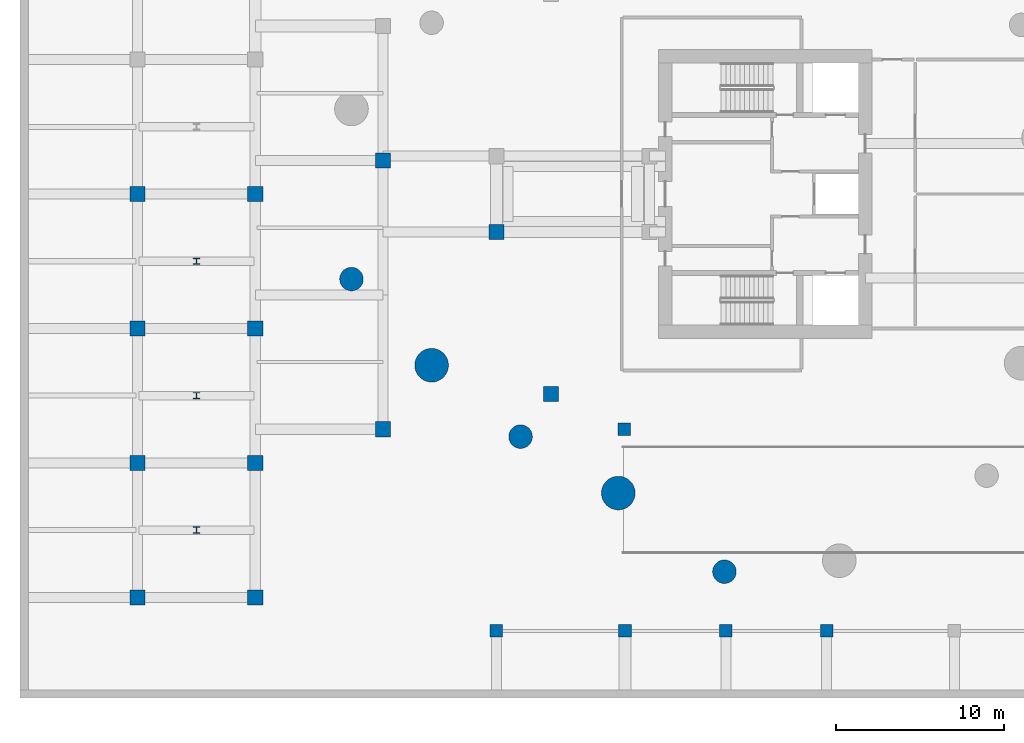
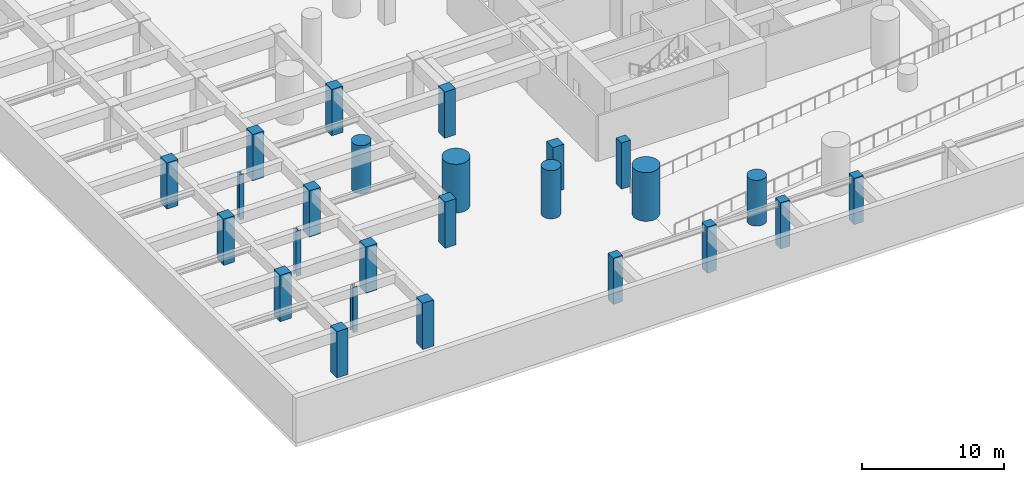
# One storey, part 1 of 10: 25 columns.
"""IFC4 building model written with IfcOpenShell, lengths in metres."""

from ifc_helpers import new_model, si_unit, direction, frame, origin, origin_2d, place, context, subcontext, project, spatial, rectangle, circle, i_section, extrude, source, transform, mapped, material, material_profile, profile_set, type_object, element, save


model = new_model("IFC4")

# Units and contexts
model_context = context("Model", 3, precision=1e-05, world=origin(), true_north=direction((0.0, 1.0)))
body_context = subcontext(model_context, "Body", "Model", "MODEL_VIEW")
ifc_project = project(units=[si_unit("LENGTHUNIT", "METRE"), si_unit("AREAUNIT", "SQUARE_METRE"), si_unit("VOLUMEUNIT", "CUBIC_METRE"), si_unit("PLANEANGLEUNIT", "RADIAN"), si_unit("MASSUNIT", "GRAM", prefix="KILO")], contexts=[model_context])

# Site, building, storey
site_placement = place(None, origin())
site = spatial("IfcSite", under=ifc_project, at=site_placement, CompositionType="ELEMENT")
building_placement = place(site_placement, origin())
building = spatial("IfcBuilding", under=site, at=building_placement, Name="Qafzar Sky-Pleat Residences", CompositionType="ELEMENT")
storey_placement = place(building_placement, frame((0.0, 0.0, -4.199951171875)))
storey = spatial("IfcBuildingStorey", under=building, at=storey_placement, Name="B01", CompositionType="ELEMENT", Elevation=-4.199951171875)

# Columns
ifc_material_1 = material(Name="Concrete C60/75", Category="concrete")
ifc_material_profile_1 = material_profile(ifc_material_1, circle(Radius=1.0, at=origin_2d()), Name="RC D2000")
ifc_profile_set_1 = profile_set([ifc_material_profile_1], Name="Concrete C60/75")
column_type_1 = type_object("IfcColumnType", Name="COL-STILT-D2000", PredefinedType="COLUMN", material=ifc_profile_set_1)
shared_shape_1 = source(origin(), body_context, "Body", "SweptSolid", [
    extrude(circle(Radius=1.0, at=origin_2d()), origin(), (0.0, 0.0, 1.0), 4.195068359375),
])
for number, where, z_axis, x_axis, name in (
    (1, (10.493408203125, 15.809814453125, 0.0), (0.0, 0.0, 1.0), (1.0, 0.0, 0.0), "B01 Mega-Column STILT-02"),
    (2, (21.602783203125, 8.20458984375, 0.0), (0.0, 0.0, 1.0), (1.0, 0.0, 0.0), "B01 Mega-Column STILT-03"),
):
    element("IfcColumn", number, at=place(storey_placement, frame(where, z_axis=z_axis, x_axis=x_axis)), inside=storey, type_object=column_type_1, Name=name, PredefinedType="COLUMN", context=body_context, shape_type="MappedRepresentation", body=[
        mapped(shared_shape_1, transform((0.0, 0.0, 0.0), x_axis=(1.0, 0.0, 0.0), y_axis=(0.0, 1.0, 0.0), z_axis=(0.0, 0.0, 1.0), scale=1.0)),
    ])
ifc_material_profile_2 = material_profile(ifc_material_1, circle(Radius=0.699951171875, at=origin_2d()), Name="RC D1400")
ifc_profile_set_2 = profile_set([ifc_material_profile_2], Name="Concrete C60/75")
column_type_2 = type_object("IfcColumnType", Name="COL-MEGA-D1400", PredefinedType="COLUMN", material=ifc_profile_set_2)
shared_shape_2 = source(origin(), body_context, "Body", "SweptSolid", [
    extrude(circle(Radius=0.699951171875, at=origin_2d()), origin(), (0.0, 0.0, 1.0), 4.1572265625),
])
for number, where, z_axis, x_axis, name in (
    (3, (5.724609375, 20.937255859375, 0.0), (0.0, 0.0, 1.0), (1.0, 0.0, 0.0), "B01 Branch Mega-Column STILT-BR-01"),
    (4, (15.787353515625, 11.56201171875, 0.0), (0.0, 0.0, 1.0), (1.0, 0.0, 0.0), "B01 Branch Mega-Column STILT-BR-02"),
):
    element("IfcColumn", number, at=place(storey_placement, frame(where, z_axis=z_axis, x_axis=x_axis)), inside=storey, type_object=column_type_2, Name=name, PredefinedType="COLUMN", context=body_context, shape_type="MappedRepresentation", body=[
        mapped(shared_shape_2, transform((0.0, 0.0, 0.0), x_axis=(1.0, 0.0, 0.0), y_axis=(0.0, 1.0, 0.0), z_axis=(0.0, 0.0, 1.0), scale=1.0)),
    ])
shared_shape_3 = source(origin(), body_context, "Body", "SweptSolid", [
    extrude(circle(Radius=0.699951171875, at=origin_2d()), origin(), (0.0, 0.0, 1.0), 3.949462890625),
])
column_1_placement = place(storey_placement, frame((27.92041015625, 3.52392578125, 0.0), z_axis=(0.0, 0.0, 1.0), x_axis=(1.0, 0.0, 0.0)))
element("IfcColumn", 5, at=column_1_placement, inside=storey, type_object=column_type_2, Name="B01 Branch Mega-Column STILT-BR-03", PredefinedType="COLUMN", context=body_context, shape_type="MappedRepresentation", body=[
    mapped(shared_shape_3, transform((0.0, 0.0, 0.0), x_axis=(1.0, 0.0, 0.0), y_axis=(0.0, 1.0, 0.0), z_axis=(0.0, 0.0, 1.0), scale=1.0)),
])
ifc_material_2 = material(Name="Steel S355", Category="steel")
ifc_material_profile_3 = material_profile(ifc_material_2, i_section(OverallWidth=0.3740234375, OverallDepth=0.3720703125, WebThickness=0.01611328125, FlangeThickness=0.02587890625, FilletRadius=0.014892578125, at=origin_2d()), Name="HD 360x196")
ifc_profile_set_3 = profile_set([ifc_material_profile_3], Name="Steel S355")
column_type_3 = type_object("IfcColumnType", Name="COL-STL-HD196", PredefinedType="PILASTER", material=ifc_profile_set_3)
shared_shape_4 = source(origin(), body_context, "Body", "SweptSolid", [
    extrude(i_section(OverallWidth=0.3740234375, OverallDepth=0.3720703125, WebThickness=0.01611328125, FlangeThickness=0.02587890625, FilletRadius=0.014892578125, at=origin_2d()), origin(), (0.0, 0.0, 1.0), 3.89990234375),
])
for number, where, z_axis, x_axis, name in (
    (6, (-3.5, 6.0, 0.0), (0.0, 0.0, 1.0), (1.0, 0.0, 0.0), "B01 West Basement Steel Post 1"),
    (7, (-3.5, 14.0, 0.0), (0.0, 0.0, 1.0), (1.0, 0.0, 0.0), "B01 West Basement Steel Post 2"),
    (8, (-3.5, 22.0, 0.0), (0.0, 0.0, 1.0), (1.0, 0.0, 0.0), "B01 West Basement Steel Post 3"),
):
    element("IfcColumn", number, at=place(storey_placement, frame(where, z_axis=z_axis, x_axis=x_axis)), inside=storey, type_object=column_type_3, Name=name, PredefinedType="PILASTER", context=body_context, shape_type="MappedRepresentation", body=[
        mapped(shared_shape_4, transform((0.0, 0.0, 0.0), x_axis=(1.0, 0.0, 0.0), y_axis=(0.0, 1.0, 0.0), z_axis=(0.0, 0.0, 1.0), scale=1.0)),
    ])
ifc_material_profile_4 = material_profile(ifc_material_1, rectangle(XDim=0.89990234375, YDim=0.89990234375, at=origin_2d()), Name="RC 900x900")
ifc_profile_set_4 = profile_set([ifc_material_profile_4], Name="Concrete C60/75")
column_type_4 = type_object("IfcColumnType", Name="COL-RC-900", PredefinedType="COLUMN", material=ifc_profile_set_4)
shared_shape_5 = source(origin(), body_context, "Body", "SweptSolid", [
    extrude(rectangle(XDim=0.89990234375, YDim=0.89990234375, at=origin_2d()), origin(), (0.0, 0.0, 1.0), 3.98486328125),
])
for number, where, z_axis, x_axis, name in (
    (9, (-7.0, 2.0, 0.0), (0.0, 0.0, 1.0), (1.0, 0.0, 0.0), "B01 Substructure Column 1"),
    (10, (-7.0, 10.0, 0.0), (0.0, 0.0, 1.0), (1.0, 0.0, 0.0), "B01 Substructure Column 2"),
    (11, (-7.0, 18.0, 0.0), (0.0, 0.0, 1.0), (1.0, 0.0, 0.0), "B01 Substructure Column 3"),
    (12, (-7.0, 26.0, 0.0), (0.0, 0.0, 1.0), (1.0, 0.0, 0.0), "B01 Substructure Column 4"),
    (13, (0.0, 2.0, 0.0), (0.0, 0.0, 1.0), (1.0, 0.0, 0.0), "B01 Substructure Column 8"),
    (14, (0.0, 10.0, 0.0), (0.0, 0.0, 1.0), (1.0, 0.0, 0.0), "B01 Substructure Column 9"),
    (15, (0.0, 18.0, 0.0), (0.0, 0.0, 1.0), (1.0, 0.0, 0.0), "B01 Substructure Column 10"),
    (16, (0.0, 26.0, 0.0), (0.0, 0.0, 1.0), (1.0, 0.0, 0.0), "B01 Substructure Column 11"),
    (17, (7.60009765625, 12.0, 0.0), (0.0, 0.0, 1.0), (1.0, 0.0, 0.0), "B01 Substructure Column 15"),
    (18, (7.60009765625, 28.0, 0.0), (0.0, 0.0, 1.0), (1.0, 0.0, 0.0), "B01 Substructure Column 16"),
    (19, (14.35009765625, 23.75, 0.0), (0.0, 0.0, 1.0), (1.0, 0.0, 0.0), "B01 Substructure Column 21"),
):
    element("IfcColumn", number, at=place(storey_placement, frame(where, z_axis=z_axis, x_axis=x_axis)), inside=storey, type_object=column_type_4, Name=name, PredefinedType="COLUMN", context=body_context, shape_type="MappedRepresentation", body=[
        mapped(shared_shape_5, transform((0.0, 0.0, 0.0), x_axis=(1.0, 0.0, 0.0), y_axis=(0.0, 1.0, 0.0), z_axis=(0.0, 0.0, 1.0), scale=1.0)),
    ])
shared_shape_6 = source(origin(), body_context, "Body", "SweptSolid", [
    extrude(rectangle(XDim=0.89990234375, YDim=0.89990234375, at=origin_2d()), origin(), (0.0, 0.0, 1.0), 3.89990234375),
])
column_2_placement = place(storey_placement, frame((17.60009765625, 14.10009765625, 0.0), z_axis=(0.0, 0.0, 1.0), x_axis=(1.0, 0.0, 0.0)))
element("IfcColumn", 20, at=column_2_placement, inside=storey, type_object=column_type_4, Name="B01 Substructure Column 25", PredefinedType="COLUMN", context=body_context, shape_type="MappedRepresentation", body=[
    mapped(shared_shape_6, transform((0.0, 0.0, 0.0), x_axis=(1.0, 0.0, 0.0), y_axis=(0.0, 1.0, 0.0), z_axis=(0.0, 0.0, 1.0), scale=1.0)),
])
ifc_material_profile_5 = material_profile(ifc_material_1, rectangle(XDim=0.75, YDim=0.75, at=origin_2d()), Name="RC 750x750")
ifc_profile_set_5 = profile_set([ifc_material_profile_5], Name="Concrete C60/75")
column_type_5 = type_object("IfcColumnType", Name="COL-RC-750", PredefinedType="COLUMN", material=ifc_profile_set_5)
shared_shape_7 = source(origin(), body_context, "Body", "SweptSolid", [
    extrude(rectangle(XDim=0.75, YDim=0.75, at=origin_2d()), origin(), (0.0, 0.0, 1.0), 3.98486328125),
])
for number, where, z_axis, x_axis, name in (
    (21, (21.949951171875, 12.0, 0.0), (0.0, 0.0, 1.0), (1.0, 0.0, 0.0), "B01 Substructure Column 27"),
    (22, (14.35009765625, 0.0, 0.0), (0.0, 0.0, 1.0), (1.0, 0.0, 0.0), "B01 Substructure Column 29"),
    (23, (22.0, 0.0, 0.0), (0.0, 0.0, 1.0), (1.0, 0.0, 0.0), "B01 Substructure Column 30"),
    (24, (28.0, 0.0, 0.0), (0.0, 0.0, 1.0), (1.0, 0.0, 0.0), "B01 Substructure Column 31"),
    (25, (34.0, 0.0, 0.0), (0.0, 0.0, 1.0), (1.0, 0.0, 0.0), "B01 Substructure Column 32"),
):
    element("IfcColumn", number, at=place(storey_placement, frame(where, z_axis=z_axis, x_axis=x_axis)), inside=storey, type_object=column_type_5, Name=name, PredefinedType="COLUMN", context=body_context, shape_type="MappedRepresentation", body=[
        mapped(shared_shape_7, transform((0.0, 0.0, 0.0), x_axis=(1.0, 0.0, 0.0), y_axis=(0.0, 1.0, 0.0), z_axis=(0.0, 0.0, 1.0), scale=1.0)),
    ])

save(model, "model.ifc")
